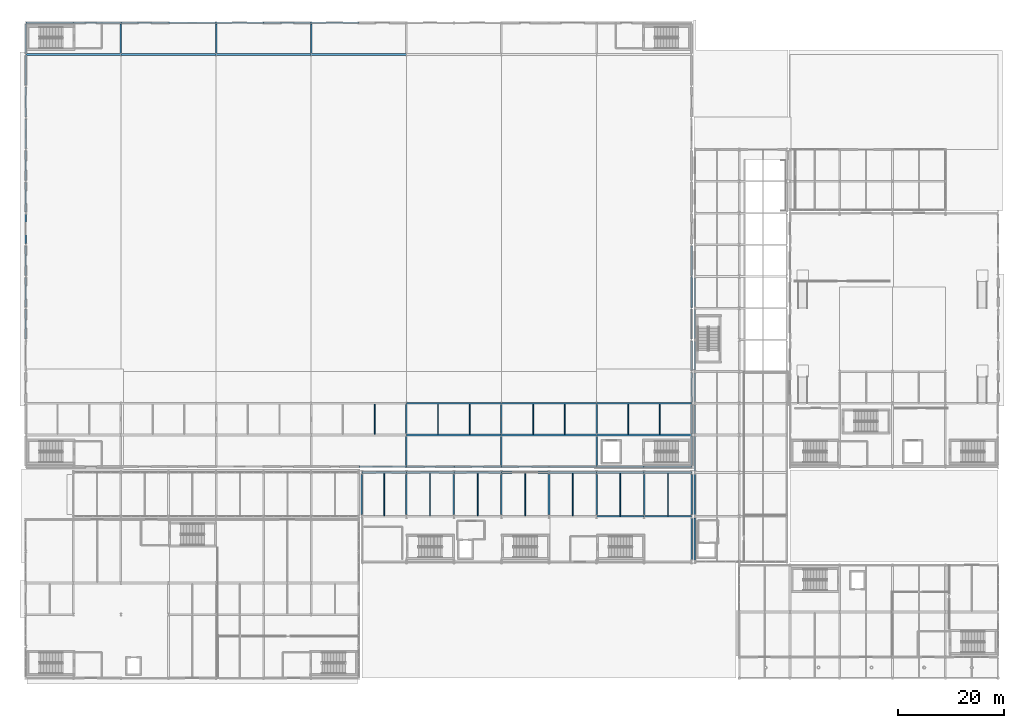
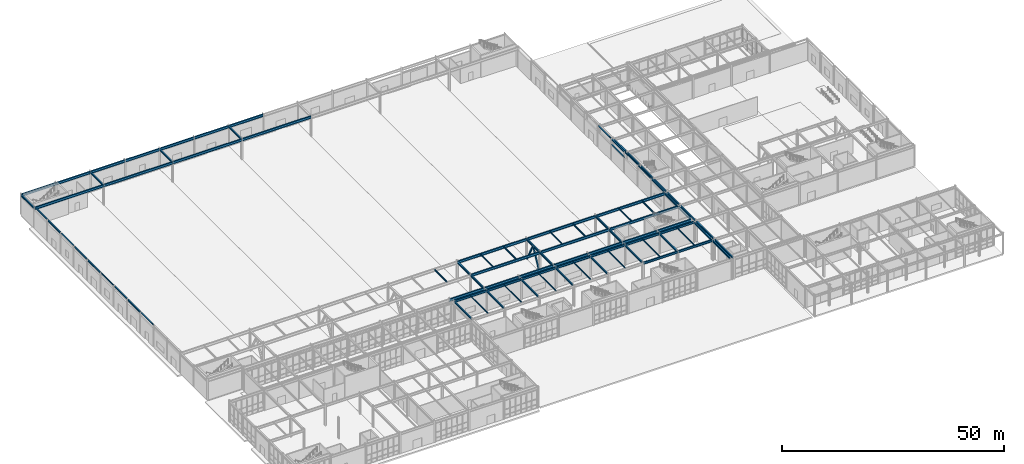
# One storey, part 68 of 146: 91 beams, 2 members.
"""IFC4 building model written with IfcOpenShell, lengths in metres."""

from ifc_helpers import new_model, si_unit, direction, frame, origin, origin_2d, place, context, subcontext, project, spatial, hollow_rectangle, i_section, extrude, material, material_profile, profile_set, type_object, element, save


model = new_model("IFC4")

# Units and contexts
model_context = context("Model", 3, precision=1e-05, world=origin(), true_north=direction((0.0, 1.0)))
body_context = subcontext(model_context, "Body", "Model", "MODEL_VIEW")
ifc_project = project(units=[si_unit("LENGTHUNIT", "METRE"), si_unit("AREAUNIT", "SQUARE_METRE"), si_unit("VOLUMEUNIT", "CUBIC_METRE"), si_unit("PLANEANGLEUNIT", "RADIAN"), si_unit("MASSUNIT", "GRAM", prefix="KILO")], contexts=[model_context])

# Site, building, storey
site_placement = place(None, origin())
site = spatial("IfcSite", under=ifc_project, at=site_placement, CompositionType="ELEMENT")
building_placement = place(site_placement, origin())
building = spatial("IfcBuilding", under=site, at=building_placement, Name="Kaldris Quays Convention Centre", CompositionType="ELEMENT")
storey_placement = place(building_placement, origin())
storey = spatial("IfcBuildingStorey", under=building, at=storey_placement, Name="L00", CompositionType="ELEMENT", Elevation=0.0)

# Beams
ifc_material_1 = material(Name="Steel S355J2", Category="steel")
ifc_material_profile_1 = material_profile(ifc_material_1, i_section(OverallWidth=0.300048828125, OverallDepth=0.699951171875, WebThickness=0.01708984375, FlangeThickness=0.031982421875, FilletRadius=0.027099609375, at=origin_2d()), Name="HEB 700")
ifc_profile_set_1 = profile_set([ifc_material_profile_1], Name="Steel S355J2")
beam_type_1 = type_object("IfcBeamType", Name="STRUCTURAL BEAM BM04", PredefinedType="BEAM", material=ifc_profile_set_1)
for number, where, z_axis, x_axis, name in (
    (1, (83.00439453125, 56.0, 5.3330078125), (1.0, 0.0, 0.0), (0.0, 1.0, 0.0), "L00 Girder BM04 8"),
    (2, (92.00439453125, 56.0, 5.3330078125), (1.0, 0.0, 0.0), (0.0, 1.0, 0.0), "L00 Girder BM04 9"),
    (3, (101.00439453125, 56.0, 5.3330078125), (1.0, 0.0, 0.0), (0.0, 1.0, 0.0), "L00 Girder BM04 10"),
    (4, (110.00439453125, 56.0, 5.3330078125), (1.0, 0.0, 0.0), (0.0, 1.0, 0.0), "L00 Girder BM04 11"),
    (5, (119.00439453125, 56.0, 5.3330078125), (1.0, 0.0, 0.0), (0.0, 1.0, 0.0), "L00 Girder BM04 12"),
    (6, (128.00439453125, 56.0, 5.3330078125), (1.0, 0.0, 0.0), (0.0, 1.0, 0.0), "L00 Girder BM04 13"),
    (7, (137.00439453125, 56.0, 5.3330078125), (1.0, 0.0, 0.0), (0.0, 1.0, 0.0), "L00 Girder BM04 14"),
):
    element("IfcBeam", number, at=place(storey_placement, frame(where, z_axis=z_axis, x_axis=x_axis)), inside=storey, type_object=beam_type_1, Name=name, PredefinedType="BEAM", context=body_context, shape_type="SweptSolid", body=[
        extrude(i_section(OverallWidth=0.300048828125, OverallDepth=0.699951171875, WebThickness=0.01708984375, FlangeThickness=0.031982421875, FilletRadius=0.027099609375, at=origin_2d()), origin(), (0.0, 0.0, 1.0), 8.9912109375),
    ])
for number, where, z_axis, x_axis, name in (
    (8, (92.0009765625, 62.0, 5.3330078125), (1.0, 0.0, 0.0), (0.0, 1.0, 0.0), "L00 Girder BM04 19"),
    (9, (110.0009765625, 62.0, 5.3330078125), (1.0, 0.0, 0.0), (0.0, 1.0, 0.0), "L00 Girder BM04 20"),
):
    element("IfcBeam", number, at=place(storey_placement, frame(where, z_axis=z_axis, x_axis=x_axis)), inside=storey, type_object=beam_type_1, Name=name, PredefinedType="BEAM", context=body_context, shape_type="SweptSolid", body=[
        extrude(i_section(OverallWidth=0.300048828125, OverallDepth=0.699951171875, WebThickness=0.01708984375, FlangeThickness=0.031982421875, FilletRadius=0.027099609375, at=origin_2d()), origin(), (0.0, 0.0, 1.0), 17.998046875),
    ])
beam_1_placement = place(storey_placement, frame((128.0009765625, 62.0, 5.3330078125), z_axis=(1.0, 0.0, 0.0), x_axis=(0.0, 1.0, 0.0)))
element("IfcBeam", 10, at=beam_1_placement, inside=storey, type_object=beam_type_1, Name="L00 Girder BM04 21", PredefinedType="BEAM", context=body_context, shape_type="SweptSolid", body=[
    extrude(i_section(OverallWidth=0.300048828125, OverallDepth=0.699951171875, WebThickness=0.01708984375, FlangeThickness=0.031982421875, FilletRadius=0.027099609375, at=origin_2d()), origin(), (0.0, 0.0, 1.0), 17.99462890625),
])
for number, where, z_axis, x_axis, name in (
    (11, (92.0009765625, 68.0, 5.3330078125), (1.0, 0.0, 0.0), (0.0, 1.0, 0.0), "L00 Girder BM04 26"),
    (12, (110.0009765625, 68.0, 5.3330078125), (1.0, 0.0, 0.0), (0.0, 1.0, 0.0), "L00 Girder BM04 27"),
):
    element("IfcBeam", number, at=place(storey_placement, frame(where, z_axis=z_axis, x_axis=x_axis)), inside=storey, type_object=beam_type_1, Name=name, PredefinedType="BEAM", context=body_context, shape_type="SweptSolid", body=[
        extrude(i_section(OverallWidth=0.300048828125, OverallDepth=0.699951171875, WebThickness=0.01708984375, FlangeThickness=0.031982421875, FilletRadius=0.027099609375, at=origin_2d()), origin(), (0.0, 0.0, 1.0), 17.998046875),
    ])
for number, where, z_axis, x_axis, name in (
    (13, (128.0009765625, 68.0, 5.3330078125), (1.0, 0.0, 0.0), (0.0, 1.0, 0.0), "L00 Girder BM04 28"),
    (14, (20.00439453125, 134.0, 5.3330078125), (1.0, 0.0, 0.0), (0.0, 1.0, 0.0), "L00 Girder BM04 29"),
):
    element("IfcBeam", number, at=place(storey_placement, frame(where, z_axis=z_axis, x_axis=x_axis)), inside=storey, type_object=beam_type_1, Name=name, PredefinedType="BEAM", context=body_context, shape_type="SweptSolid", body=[
        extrude(i_section(OverallWidth=0.300048828125, OverallDepth=0.699951171875, WebThickness=0.01708984375, FlangeThickness=0.031982421875, FilletRadius=0.027099609375, at=origin_2d()), origin(), (0.0, 0.0, 1.0), 17.99462890625),
    ])
for number, where, z_axis, x_axis, name in (
    (15, (38.0009765625, 134.0, 5.3330078125), (1.0, 0.0, 0.0), (0.0, 1.0, 0.0), "L00 Girder BM04 30"),
    (16, (56.0009765625, 134.0, 5.3330078125), (1.0, 0.0, 0.0), (0.0, 1.0, 0.0), "L00 Girder BM04 31"),
    (17, (74.0009765625, 134.0, 5.3330078125), (1.0, 0.0, 0.0), (0.0, 1.0, 0.0), "L00 Girder BM04 32"),
):
    element("IfcBeam", number, at=place(storey_placement, frame(where, z_axis=z_axis, x_axis=x_axis)), inside=storey, type_object=beam_type_1, Name=name, PredefinedType="BEAM", context=body_context, shape_type="SweptSolid", body=[
        extrude(i_section(OverallWidth=0.300048828125, OverallDepth=0.699951171875, WebThickness=0.01708984375, FlangeThickness=0.031982421875, FilletRadius=0.027099609375, at=origin_2d()), origin(), (0.0, 0.0, 1.0), 17.998046875),
    ])
for number, where, z_axis, x_axis, name in (
    (18, (20.00439453125, 140.0, 5.3330078125), (1.0, 0.0, 0.0), (0.0, 1.0, 0.0), "L00 Girder BM04 36"),
    (19, (29.00439453125, 140.0, 5.3330078125), (1.0, 0.0, 0.0), (0.0, 1.0, 0.0), "L00 Girder BM04 37"),
    (20, (38.00439453125, 140.0, 5.3330078125), (1.0, 0.0, 0.0), (0.0, 1.0, 0.0), "L00 Girder BM04 38"),
    (21, (47.00439453125, 140.0, 5.3330078125), (1.0, 0.0, 0.0), (0.0, 1.0, 0.0), "L00 Girder BM04 39"),
    (22, (56.00439453125, 140.0, 5.3330078125), (1.0, 0.0, 0.0), (0.0, 1.0, 0.0), "L00 Girder BM04 40"),
    (23, (65.00439453125, 140.0, 5.3330078125), (1.0, 0.0, 0.0), (0.0, 1.0, 0.0), "L00 Girder BM04 41"),
    (24, (74.00439453125, 140.0, 5.3330078125), (1.0, 0.0, 0.0), (0.0, 1.0, 0.0), "L00 Girder BM04 42"),
):
    element("IfcBeam", number, at=place(storey_placement, frame(where, z_axis=z_axis, x_axis=x_axis)), inside=storey, type_object=beam_type_1, Name=name, PredefinedType="BEAM", context=body_context, shape_type="SweptSolid", body=[
        extrude(i_section(OverallWidth=0.300048828125, OverallDepth=0.699951171875, WebThickness=0.01708984375, FlangeThickness=0.031982421875, FilletRadius=0.027099609375, at=origin_2d()), origin(), (0.0, 0.0, 1.0), 8.9912109375),
    ])
ifc_material_profile_2 = material_profile(ifc_material_1, i_section(OverallWidth=0.300048828125, OverallDepth=0.60009765625, WebThickness=0.015380859375, FlangeThickness=0.030029296875, FilletRadius=0.027099609375, at=origin_2d()), Name="HEB 600")
ifc_profile_set_2 = profile_set([ifc_material_profile_2], Name="Steel S355J2")
beam_type_2 = type_object("IfcBeamType", Name="STRUCTURAL BEAM BM05", PredefinedType="BEAM", material=ifc_profile_set_2)
for number, where, z_axis, x_axis, name in (
    (25, (128.00244140625, 46.60009765625, 5.423095703125), (1.0, 0.0, 0.0), (0.0, 1.0, 0.0), "L00 Girder BM05 15"),
    (26, (137.00244140625, 46.60009765625, 5.423095703125), (1.0, 0.0, 0.0), (0.0, 1.0, 0.0), "L00 Girder BM05 16"),
):
    element("IfcBeam", number, at=place(storey_placement, frame(where, z_axis=z_axis, x_axis=x_axis)), inside=storey, type_object=beam_type_2, Name=name, PredefinedType="BEAM", context=body_context, shape_type="SweptSolid", body=[
        extrude(i_section(OverallWidth=0.300048828125, OverallDepth=0.60009765625, WebThickness=0.015380859375, FlangeThickness=0.030029296875, FilletRadius=0.027099609375, at=origin_2d()), origin(), (0.0, 0.0, 1.0), 8.9951171875),
    ])
beam_2_placement = place(storey_placement, frame((83.6025390625, 54.89990234375, 5.423095703125), z_axis=(1.0, 0.0, 0.0), x_axis=(0.0, 1.0, 0.0)))
element("IfcBeam", 27, at=beam_2_placement, inside=storey, type_object=beam_type_2, Name="L00 Girder BM05 19", PredefinedType="BEAM", context=body_context, shape_type="SweptSolid", body=[
    extrude(i_section(OverallWidth=0.300048828125, OverallDepth=0.60009765625, WebThickness=0.015380859375, FlangeThickness=0.030029296875, FilletRadius=0.027099609375, at=origin_2d()), origin(), (0.0, 0.0, 1.0), 8.39501953125),
])
for number, where, z_axis, x_axis, name in (
    (28, (92.00244140625, 54.89990234375, 5.423095703125), (1.0, 0.0, 0.0), (0.0, 1.0, 0.0), "L00 Girder BM05 20"),
    (29, (101.00244140625, 54.89990234375, 5.423095703125), (1.0, 0.0, 0.0), (0.0, 1.0, 0.0), "L00 Girder BM05 21"),
    (30, (110.00244140625, 54.89990234375, 5.423095703125), (1.0, 0.0, 0.0), (0.0, 1.0, 0.0), "L00 Girder BM05 22"),
    (31, (119.00244140625, 54.89990234375, 5.423095703125), (1.0, 0.0, 0.0), (0.0, 1.0, 0.0), "L00 Girder BM05 23"),
    (32, (128.00244140625, 54.89990234375, 5.423095703125), (1.0, 0.0, 0.0), (0.0, 1.0, 0.0), "L00 Girder BM05 24"),
    (33, (137.00244140625, 54.89990234375, 5.423095703125), (1.0, 0.0, 0.0), (0.0, 1.0, 0.0), "L00 Girder BM05 25"),
):
    element("IfcBeam", number, at=place(storey_placement, frame(where, z_axis=z_axis, x_axis=x_axis)), inside=storey, type_object=beam_type_2, Name=name, PredefinedType="BEAM", context=body_context, shape_type="SweptSolid", body=[
        extrude(i_section(OverallWidth=0.300048828125, OverallDepth=0.60009765625, WebThickness=0.015380859375, FlangeThickness=0.030029296875, FilletRadius=0.027099609375, at=origin_2d()), origin(), (0.0, 0.0, 1.0), 8.9951171875),
    ])
ifc_material_profile_3 = material_profile(ifc_material_1, i_section(OverallWidth=0.300048828125, OverallDepth=0.5, WebThickness=0.014404296875, FlangeThickness=0.028076171875, FilletRadius=0.027099609375, at=origin_2d()), Name="HEB 500")
ifc_profile_set_3 = profile_set([ifc_material_profile_3], Name="Steel S355J2")
beam_type_3 = type_object("IfcBeamType", Name="STRUCTURAL BEAM BM06", PredefinedType="BEAM", material=ifc_profile_set_3)
beam_3_placement = place(storey_placement, frame((20.0, 134.2099609375, 5.43310546875), z_axis=(0.0, 1.0, 0.0), x_axis=(-1.0, 0.0, 0.0)))
element("IfcBeam", 34, at=beam_3_placement, inside=storey, type_object=beam_type_3, Name="L00 Girder BM06 52", PredefinedType="BEAM", context=body_context, shape_type="SweptSolid", body=[
    extrude(i_section(OverallWidth=0.300048828125, OverallDepth=0.5, WebThickness=0.014404296875, FlangeThickness=0.028076171875, FilletRadius=0.027099609375, at=origin_2d()), origin(), (0.0, 0.0, 1.0), 5.580078125),
])
for number, where, z_axis, x_axis, name in (
    (35, (38.0, 134.218994140625, 5.43310546875), (0.0, 1.0, 0.0), (-1.0, 0.0, 0.0), "L00 Girder BM06 55"),
    (36, (56.0, 134.218994140625, 5.43310546875), (0.0, 1.0, 0.0), (-1.0, 0.0, 0.0), "L00 Girder BM06 58"),
    (37, (74.0, 134.218994140625, 5.43310546875), (0.0, 1.0, 0.0), (-1.0, 0.0, 0.0), "L00 Girder BM06 61"),
    (38, (92.0, 56.2099609375, 5.43310546875), (0.0, 1.0, 0.0), (-1.0, 0.0, 0.0), "L00 Girder BM06 62"),
):
    element("IfcBeam", number, at=place(storey_placement, frame(where, z_axis=z_axis, x_axis=x_axis)), inside=storey, type_object=beam_type_3, Name=name, PredefinedType="BEAM", context=body_context, shape_type="SweptSolid", body=[
        extrude(i_section(OverallWidth=0.300048828125, OverallDepth=0.5, WebThickness=0.014404296875, FlangeThickness=0.028076171875, FilletRadius=0.027099609375, at=origin_2d()), origin(), (0.0, 0.0, 1.0), 5.571044921875),
    ])
beam_4_placement = place(storey_placement, frame((92.0, 62.218994140625, 5.43310546875), z_axis=(0.0, 1.0, 0.0), x_axis=(-1.0, 0.0, 0.0)))
element("IfcBeam", 39, at=beam_4_placement, inside=storey, type_object=beam_type_3, Name="L00 Girder BM06 63", PredefinedType="BEAM", context=body_context, shape_type="SweptSolid", body=[
    extrude(i_section(OverallWidth=0.300048828125, OverallDepth=0.5, WebThickness=0.014404296875, FlangeThickness=0.028076171875, FilletRadius=0.027099609375, at=origin_2d()), origin(), (0.0, 0.0, 1.0), 5.56201171875),
])
beam_5_placement = place(storey_placement, frame((110.0, 56.2099609375, 5.43310546875), z_axis=(0.0, 1.0, 0.0), x_axis=(-1.0, 0.0, 0.0)))
element("IfcBeam", 40, at=beam_5_placement, inside=storey, type_object=beam_type_3, Name="L00 Girder BM06 65", PredefinedType="BEAM", context=body_context, shape_type="SweptSolid", body=[
    extrude(i_section(OverallWidth=0.300048828125, OverallDepth=0.5, WebThickness=0.014404296875, FlangeThickness=0.028076171875, FilletRadius=0.027099609375, at=origin_2d()), origin(), (0.0, 0.0, 1.0), 5.571044921875),
])
beam_6_placement = place(storey_placement, frame((110.0, 62.218994140625, 5.43310546875), z_axis=(0.0, 1.0, 0.0), x_axis=(-1.0, 0.0, 0.0)))
element("IfcBeam", 41, at=beam_6_placement, inside=storey, type_object=beam_type_3, Name="L00 Girder BM06 66", PredefinedType="BEAM", context=body_context, shape_type="SweptSolid", body=[
    extrude(i_section(OverallWidth=0.300048828125, OverallDepth=0.5, WebThickness=0.014404296875, FlangeThickness=0.028076171875, FilletRadius=0.027099609375, at=origin_2d()), origin(), (0.0, 0.0, 1.0), 5.56201171875),
])
beam_7_placement = place(storey_placement, frame((128.0, 56.2099609375, 5.43310546875), z_axis=(0.0, 1.0, 0.0), x_axis=(-1.0, 0.0, 0.0)))
element("IfcBeam", 42, at=beam_7_placement, inside=storey, type_object=beam_type_3, Name="L00 Girder BM06 68", PredefinedType="BEAM", context=body_context, shape_type="SweptSolid", body=[
    extrude(i_section(OverallWidth=0.300048828125, OverallDepth=0.5, WebThickness=0.014404296875, FlangeThickness=0.028076171875, FilletRadius=0.027099609375, at=origin_2d()), origin(), (0.0, 0.0, 1.0), 5.571044921875),
])
beam_8_placement = place(storey_placement, frame((128.0, 62.218994140625, 5.43310546875), z_axis=(0.0, 1.0, 0.0), x_axis=(-1.0, 0.0, 0.0)))
element("IfcBeam", 43, at=beam_8_placement, inside=storey, type_object=beam_type_3, Name="L00 Girder BM06 69", PredefinedType="BEAM", context=body_context, shape_type="SweptSolid", body=[
    extrude(i_section(OverallWidth=0.300048828125, OverallDepth=0.5, WebThickness=0.014404296875, FlangeThickness=0.028076171875, FilletRadius=0.027099609375, at=origin_2d()), origin(), (0.0, 0.0, 1.0), 5.56201171875),
])
for number, where, z_axis, x_axis, name in (
    (44, (146.0, 56.2099609375, 5.43310546875), (0.0, 1.0, 0.0), (-1.0, 0.0, 0.0), "L00 Girder BM06 71"),
    (45, (146.0, 62.2099609375, 5.43310546875), (0.0, 1.0, 0.0), (-1.0, 0.0, 0.0), "L00 Girder BM06 72"),
):
    element("IfcBeam", number, at=place(storey_placement, frame(where, z_axis=z_axis, x_axis=x_axis)), inside=storey, type_object=beam_type_3, Name=name, PredefinedType="BEAM", context=body_context, shape_type="SweptSolid", body=[
        extrude(i_section(OverallWidth=0.300048828125, OverallDepth=0.5, WebThickness=0.014404296875, FlangeThickness=0.028076171875, FilletRadius=0.027099609375, at=origin_2d()), origin(), (0.0, 0.0, 1.0), 5.580078125),
    ])
ifc_material_profile_4 = material_profile(ifc_material_1, i_section(OverallWidth=0.300048828125, OverallDepth=0.449951171875, WebThickness=0.013916015625, FlangeThickness=0.02587890625, FilletRadius=0.027099609375, at=origin_2d()), Name="HEB 450")
ifc_profile_set_4 = profile_set([ifc_material_profile_4], Name="Steel S355J2")
beam_type_4 = type_object("IfcBeamType", Name="STRUCTURAL BEAM BM07", PredefinedType="BEAM", material=ifc_profile_set_4)
for number, where, z_axis, x_axis, name in (
    (46, (83.60009765625, 46.944091796875, 5.498046875), (0.0, 1.0, 0.0), (-1.0, 0.0, 0.0), "L00 Girder BM07 57"),
    (47, (92.0, 46.944091796875, 5.498046875), (0.0, 1.0, 0.0), (-1.0, 0.0, 0.0), "L00 Girder BM07 58"),
    (48, (101.0, 46.944091796875, 5.498046875), (0.0, 1.0, 0.0), (-1.0, 0.0, 0.0), "L00 Girder BM07 59"),
    (49, (110.0, 46.944091796875, 5.498046875), (0.0, 1.0, 0.0), (-1.0, 0.0, 0.0), "L00 Girder BM07 60"),
    (50, (119.0, 46.944091796875, 5.498046875), (0.0, 1.0, 0.0), (-1.0, 0.0, 0.0), "L00 Girder BM07 61"),
    (51, (128.0, 46.944091796875, 5.498046875), (0.0, 1.0, 0.0), (-1.0, 0.0, 0.0), "L00 Girder BM07 62"),
    (52, (137.0, 46.944091796875, 5.498046875), (0.0, 1.0, 0.0), (-1.0, 0.0, 0.0), "L00 Girder BM07 63"),
):
    element("IfcBeam", number, at=place(storey_placement, frame(where, z_axis=z_axis, x_axis=x_axis)), inside=storey, type_object=beam_type_4, Name=name, PredefinedType="BEAM", context=body_context, shape_type="SweptSolid", body=[
        extrude(i_section(OverallWidth=0.300048828125, OverallDepth=0.449951171875, WebThickness=0.013916015625, FlangeThickness=0.02587890625, FilletRadius=0.027099609375, at=origin_2d()), origin(), (0.0, 0.0, 1.0), 7.61181640625),
    ])
beam_9_placement = place(storey_placement, frame((146.0, 38.343994140625, 5.498046875), z_axis=(0.0, 1.0, 0.0), x_axis=(-1.0, 0.0, 0.0)))
element("IfcBeam", 53, at=beam_9_placement, inside=storey, type_object=beam_type_4, Name="L00 Girder BM07 64", PredefinedType="BEAM", context=body_context, shape_type="SweptSolid", body=[
    extrude(i_section(OverallWidth=0.300048828125, OverallDepth=0.449951171875, WebThickness=0.013916015625, FlangeThickness=0.02587890625, FilletRadius=0.027099609375, at=origin_2d()), origin(), (0.0, 0.0, 1.0), 7.912109375),
])
beam_10_placement = place(storey_placement, frame((146.0, 46.944091796875, 5.498046875), z_axis=(0.0, 1.0, 0.0), x_axis=(-1.0, 0.0, 0.0)))
element("IfcBeam", 54, at=beam_10_placement, inside=storey, type_object=beam_type_4, Name="L00 Girder BM07 65", PredefinedType="BEAM", context=body_context, shape_type="SweptSolid", body=[
    extrude(i_section(OverallWidth=0.300048828125, OverallDepth=0.449951171875, WebThickness=0.013916015625, FlangeThickness=0.02587890625, FilletRadius=0.027099609375, at=origin_2d()), origin(), (0.0, 0.0, 1.0), 7.61181640625),
])
beam_11_placement = place(storey_placement, frame((146.60009765625, 38.2939453125, 5.498046875), z_axis=(0.0, 1.0, 0.0), x_axis=(-1.0, 0.0, 0.0)))
element("IfcBeam", 55, at=beam_11_placement, inside=storey, type_object=beam_type_4, Name="L00 Girder BM07 66", PredefinedType="BEAM", context=body_context, shape_type="SweptSolid", body=[
    extrude(i_section(OverallWidth=0.300048828125, OverallDepth=0.449951171875, WebThickness=0.013916015625, FlangeThickness=0.02587890625, FilletRadius=0.027099609375, at=origin_2d()), origin(), (0.0, 0.0, 1.0), 8.011962890625),
])
beam_12_placement = place(storey_placement, frame((146.60009765625, 46.89404296875, 5.498046875), z_axis=(0.0, 1.0, 0.0), x_axis=(-1.0, 0.0, 0.0)))
element("IfcBeam", 56, at=beam_12_placement, inside=storey, type_object=beam_type_4, Name="L00 Girder BM07 67", PredefinedType="BEAM", context=body_context, shape_type="SweptSolid", body=[
    extrude(i_section(OverallWidth=0.300048828125, OverallDepth=0.449951171875, WebThickness=0.013916015625, FlangeThickness=0.02587890625, FilletRadius=0.027099609375, at=origin_2d()), origin(), (0.0, 0.0, 1.0), 7.7119140625),
])
beam_13_placement = place(storey_placement, frame((146.60009765625, 55.194091796875, 5.498046875), z_axis=(0.0, 1.0, 0.0), x_axis=(-1.0, 0.0, 0.0)))
element("IfcBeam", 57, at=beam_13_placement, inside=storey, type_object=beam_type_4, Name="L00 Girder BM07 68", PredefinedType="BEAM", context=body_context, shape_type="SweptSolid", body=[
    extrude(i_section(OverallWidth=0.300048828125, OverallDepth=0.449951171875, WebThickness=0.013916015625, FlangeThickness=0.02587890625, FilletRadius=0.027099609375, at=origin_2d()), origin(), (0.0, 0.0, 1.0), 6.511962890625),
])
for number, where, z_axis, x_axis, name in (
    (58, (146.60009765625, 62.2939453125, 5.498046875), (0.0, 1.0, 0.0), (-1.0, 0.0, 0.0), "L00 Girder BM07 69"),
    (59, (146.60009765625, 68.2939453125, 5.498046875), (0.0, 1.0, 0.0), (-1.0, 0.0, 0.0), "L00 Girder BM07 70"),
    (60, (146.60009765625, 74.2939453125, 5.498046875), (0.0, 1.0, 0.0), (-1.0, 0.0, 0.0), "L00 Girder BM07 71"),
    (61, (146.60009765625, 80.2939453125, 5.498046875), (0.0, 1.0, 0.0), (-1.0, 0.0, 0.0), "L00 Girder BM07 72"),
    (62, (146.60009765625, 86.2939453125, 5.498046875), (0.0, 1.0, 0.0), (-1.0, 0.0, 0.0), "L00 Girder BM07 73"),
):
    element("IfcBeam", number, at=place(storey_placement, frame(where, z_axis=z_axis, x_axis=x_axis)), inside=storey, type_object=beam_type_4, Name=name, PredefinedType="BEAM", context=body_context, shape_type="SweptSolid", body=[
        extrude(i_section(OverallWidth=0.300048828125, OverallDepth=0.449951171875, WebThickness=0.013916015625, FlangeThickness=0.02587890625, FilletRadius=0.027099609375, at=origin_2d()), origin(), (0.0, 0.0, 1.0), 5.412109375),
    ])
ifc_material_profile_5 = material_profile(ifc_material_1, i_section(OverallWidth=0.179931640625, OverallDepth=0.39990234375, WebThickness=0.008544921875, FlangeThickness=0.013427734375, FilletRadius=0.02099609375, at=origin_2d()), Name="IPE 400")
ifc_profile_set_5 = profile_set([ifc_material_profile_5], Name="Steel S355J2")
beam_type_5 = type_object("IfcBeamType", Name="STRUCTURAL BEAM JT02", PredefinedType="JOIST", material=ifc_profile_set_5)
for number, where, z_axis, x_axis, name in (
    (63, (86.0, 62.14404296875, 5.48291015625), (0.0, 1.0, 0.0), (-1.0, 0.0, 0.0), "L00 Secondary Joist JT02 8"),
    (64, (98.0, 62.14404296875, 5.48291015625), (0.0, 1.0, 0.0), (-1.0, 0.0, 0.0), "L00 Secondary Joist JT02 9"),
    (65, (104.0, 62.14404296875, 5.48291015625), (0.0, 1.0, 0.0), (-1.0, 0.0, 0.0), "L00 Secondary Joist JT02 10"),
    (66, (116.0, 62.14404296875, 5.48291015625), (0.0, 1.0, 0.0), (-1.0, 0.0, 0.0), "L00 Secondary Joist JT02 11"),
    (67, (122.0, 62.14404296875, 5.48291015625), (0.0, 1.0, 0.0), (-1.0, 0.0, 0.0), "L00 Secondary Joist JT02 12"),
    (68, (134.0, 62.14404296875, 5.48291015625), (0.0, 1.0, 0.0), (-1.0, 0.0, 0.0), "L00 Secondary Joist JT02 13"),
    (69, (140.0, 62.14404296875, 5.48291015625), (0.0, 1.0, 0.0), (-1.0, 0.0, 0.0), "L00 Secondary Joist JT02 14"),
):
    element("IfcBeam", number, at=place(storey_placement, frame(where, z_axis=z_axis, x_axis=x_axis)), inside=storey, type_object=beam_type_5, Name=name, PredefinedType="JOIST", context=body_context, shape_type="SweptSolid", body=[
        extrude(i_section(OverallWidth=0.179931640625, OverallDepth=0.39990234375, WebThickness=0.008544921875, FlangeThickness=0.013427734375, FilletRadius=0.02099609375, at=origin_2d()), origin(), (0.0, 0.0, 1.0), 5.7119140625),
    ])
ifc_material_profile_6 = material_profile(ifc_material_1, i_section(OverallWidth=0.14990234375, OverallDepth=0.300048828125, WebThickness=0.007080078125, FlangeThickness=0.0107421875, FilletRadius=0.014892578125, at=origin_2d()), Name="IPE 300")
ifc_profile_set_6 = profile_set([ifc_material_profile_6], Name="Steel S355J2")
beam_type_6 = type_object("IfcBeamType", Name="STRUCTURAL BEAM JT04", PredefinedType="JOIST", material=ifc_profile_set_6)
for number, where, z_axis, x_axis, name in (
    (70, (87.800048828125, 46.743896484375, 5.572998046875), (0.0, 1.0, 0.0), (-1.0, 0.0, 0.0), "L00 Secondary Joist JT04 3"),
    (71, (96.5, 46.743896484375, 5.572998046875), (0.0, 1.0, 0.0), (-1.0, 0.0, 0.0), "L00 Secondary Joist JT04 4"),
    (72, (105.5, 46.743896484375, 5.572998046875), (0.0, 1.0, 0.0), (-1.0, 0.0, 0.0), "L00 Secondary Joist JT04 5"),
    (73, (114.5, 46.743896484375, 5.572998046875), (0.0, 1.0, 0.0), (-1.0, 0.0, 0.0), "L00 Secondary Joist JT04 6"),
    (74, (123.5, 46.743896484375, 5.572998046875), (0.0, 1.0, 0.0), (-1.0, 0.0, 0.0), "L00 Secondary Joist JT04 7"),
    (75, (132.5, 46.743896484375, 5.572998046875), (0.0, 1.0, 0.0), (-1.0, 0.0, 0.0), "L00 Secondary Joist JT04 8"),
    (76, (141.5, 46.743896484375, 5.572998046875), (0.0, 1.0, 0.0), (-1.0, 0.0, 0.0), "L00 Secondary Joist JT04 9"),
):
    element("IfcBeam", number, at=place(storey_placement, frame(where, z_axis=z_axis, x_axis=x_axis)), inside=storey, type_object=beam_type_6, Name=name, PredefinedType="JOIST", context=body_context, shape_type="SweptSolid", body=[
        extrude(i_section(OverallWidth=0.14990234375, OverallDepth=0.300048828125, WebThickness=0.007080078125, FlangeThickness=0.0107421875, FilletRadius=0.014892578125, at=origin_2d()), origin(), (0.0, 0.0, 1.0), 8.01220703125),
    ])
ifc_material_profile_7 = material_profile(ifc_material_1, i_section(OverallWidth=0.260009765625, OverallDepth=0.25, WebThickness=0.007568359375, FlangeThickness=0.012451171875, FilletRadius=0.02392578125, at=origin_2d()), Name="HEA 260")
ifc_profile_set_7 = profile_set([ifc_material_profile_7], Name="Steel S355J2")
beam_type_7 = type_object("IfcBeamType", Name="STRUCTURAL BEAM LN01", PredefinedType="LINTEL", material=ifc_profile_set_7)
beam_14_placement = place(storey_placement, frame((146.0, 86.02001953125, 4.35009765625), z_axis=(0.0, 1.0, 0.0), x_axis=(-1.0, 0.0, 0.0)))
element("IfcBeam", 77, at=beam_14_placement, inside=storey, type_object=beam_type_7, Name="L00 Heavy Portal Lintel Beam LN01 1", PredefinedType="LINTEL", context=body_context, shape_type="SweptSolid", body=[
    extrude(i_section(OverallWidth=0.260009765625, OverallDepth=0.25, WebThickness=0.007568359375, FlangeThickness=0.012451171875, FilletRadius=0.02392578125, at=origin_2d()), origin(), (0.0, 0.0, 1.0), 5.9599609375),
])
ifc_material_profile_8 = material_profile(ifc_material_1, i_section(OverallWidth=0.300048828125, OverallDepth=0.389892578125, WebThickness=0.010986328125, FlangeThickness=0.01904296875, FilletRadius=0.027099609375, at=origin_2d()), Name="HEA 400")
ifc_profile_set_8 = profile_set([ifc_material_profile_8], Name="Steel S355J2")
beam_type_8 = type_object("IfcBeamType", Name="STRUCTURAL BEAM SP01", PredefinedType="SPANDREL", material=ifc_profile_set_8)
for number, where, z_axis, x_axis, name in (
    (78, (20.0, 86.195068359375, 5.804931640625), (0.0, 1.0, 0.0), (-1.0, 0.0, 0.0), "L00 Perimeter Wall-Bearing Spandrel SP01 7"),
    (79, (20.0, 104.195068359375, 5.804931640625), (0.0, 1.0, 0.0), (-1.0, 0.0, 0.0), "L00 Perimeter Wall-Bearing Spandrel SP01 13"),
    (80, (20.0, 122.195068359375, 5.804931640625), (0.0, 1.0, 0.0), (-1.0, 0.0, 0.0), "L00 Perimeter Wall-Bearing Spandrel SP01 19"),
):
    element("IfcBeam", number, at=place(storey_placement, frame(where, z_axis=z_axis, x_axis=x_axis)), inside=storey, type_object=beam_type_8, Name=name, PredefinedType="SPANDREL", context=body_context, shape_type="SweptSolid", body=[
        extrude(i_section(OverallWidth=0.300048828125, OverallDepth=0.389892578125, WebThickness=0.010986328125, FlangeThickness=0.01904296875, FilletRadius=0.027099609375, at=origin_2d()), origin(), (0.0, 0.0, 1.0), 5.60986328125),
    ])
ifc_material_profile_9 = material_profile(ifc_material_1, i_section(OverallWidth=0.300048828125, OverallDepth=0.35009765625, WebThickness=0.010009765625, FlangeThickness=0.017578125, FilletRadius=0.027099609375, at=origin_2d()), Name="HEA 360")
ifc_profile_set_9 = profile_set([ifc_material_profile_9], Name="Steel S355J2")
beam_type_9 = type_object("IfcBeamType", Name="STRUCTURAL BEAM SP02", PredefinedType="SPANDREL", material=ifc_profile_set_9)
for number, where, z_axis, x_axis, name in (
    (81, (146.0, 68.195068359375, 5.824951171875), (0.0, 1.0, 0.0), (-1.0, 0.0, 0.0), "L00 Perimeter Wall-Bearing Spandrel SP02 2"),
    (82, (146.0, 86.195068359375, 5.824951171875), (0.0, 1.0, 0.0), (-1.0, 0.0, 0.0), "L00 Perimeter Wall-Bearing Spandrel SP02 8"),
):
    element("IfcBeam", number, at=place(storey_placement, frame(where, z_axis=z_axis, x_axis=x_axis)), inside=storey, type_object=beam_type_9, Name=name, PredefinedType="SPANDREL", context=body_context, shape_type="SweptSolid", body=[
        extrude(i_section(OverallWidth=0.300048828125, OverallDepth=0.35009765625, WebThickness=0.010009765625, FlangeThickness=0.017578125, FilletRadius=0.027099609375, at=origin_2d()), origin(), (0.0, 0.0, 1.0), 5.60986328125),
    ])
ifc_material_profile_10 = material_profile(ifc_material_1, i_section(OverallWidth=0.280029296875, OverallDepth=0.27001953125, WebThickness=0.008056640625, FlangeThickness=0.012939453125, FilletRadius=0.02392578125, at=origin_2d()), Name="HEA 280")
ifc_profile_set_10 = profile_set([ifc_material_profile_10], Name="Steel S355J2")
beam_type_10 = type_object("IfcBeamType", Name="STRUCTURAL BEAM SP03", PredefinedType="SPANDREL", material=ifc_profile_set_10)
for number, where, z_axis, x_axis, name in (
    (83, (20.0, 92.195068359375, 5.864990234375), (0.0, 1.0, 0.0), (-1.0, 0.0, 0.0), "L00 Perimeter Wall-Bearing Spandrel SP03 9"),
    (84, (20.0, 110.195068359375, 5.864990234375), (0.0, 1.0, 0.0), (-1.0, 0.0, 0.0), "L00 Perimeter Wall-Bearing Spandrel SP03 15"),
    (85, (20.0, 128.195068359375, 5.864990234375), (0.0, 1.0, 0.0), (-1.0, 0.0, 0.0), "L00 Perimeter Wall-Bearing Spandrel SP03 21"),
):
    element("IfcBeam", number, at=place(storey_placement, frame(where, z_axis=z_axis, x_axis=x_axis)), inside=storey, type_object=beam_type_10, Name=name, PredefinedType="SPANDREL", context=body_context, shape_type="SweptSolid", body=[
        extrude(i_section(OverallWidth=0.280029296875, OverallDepth=0.27001953125, WebThickness=0.008056640625, FlangeThickness=0.012939453125, FilletRadius=0.02392578125, at=origin_2d()), origin(), (0.0, 0.0, 1.0), 5.60986328125),
    ])
ifc_material_profile_11 = material_profile(ifc_material_1, i_section(OverallWidth=0.239990234375, OverallDepth=0.22998046875, WebThickness=0.007568359375, FlangeThickness=0.011962890625, FilletRadius=0.02099609375, at=origin_2d()), Name="HEA 240")
ifc_profile_set_11 = profile_set([ifc_material_profile_11], Name="Steel S355J2")
beam_type_11 = type_object("IfcBeamType", Name="STRUCTURAL BEAM SP04", PredefinedType="SPANDREL", material=ifc_profile_set_11)
for number, where, z_axis, x_axis, name in (
    (86, (146.0, 74.195068359375, 5.885009765625), (0.0, 1.0, 0.0), (-1.0, 0.0, 0.0), "L00 Perimeter Wall-Bearing Spandrel SP04 4"),
    (87, (146.0, 92.195068359375, 5.885009765625), (0.0, 1.0, 0.0), (-1.0, 0.0, 0.0), "L00 Perimeter Wall-Bearing Spandrel SP04 10"),
):
    element("IfcBeam", number, at=place(storey_placement, frame(where, z_axis=z_axis, x_axis=x_axis)), inside=storey, type_object=beam_type_11, Name=name, PredefinedType="SPANDREL", context=body_context, shape_type="SweptSolid", body=[
        extrude(i_section(OverallWidth=0.239990234375, OverallDepth=0.22998046875, WebThickness=0.007568359375, FlangeThickness=0.011962890625, FilletRadius=0.02099609375, at=origin_2d()), origin(), (0.0, 0.0, 1.0), 5.60986328125),
    ])
ifc_material_profile_12 = material_profile(ifc_material_1, i_section(OverallWidth=0.219970703125, OverallDepth=0.219970703125, WebThickness=0.009521484375, FlangeThickness=0.01611328125, FilletRadius=0.01806640625, at=origin_2d()), Name="HEB 220")
ifc_profile_set_12 = profile_set([ifc_material_profile_12], Name="Steel S355J2")
beam_type_12 = type_object("IfcBeamType", Name="STRUCTURAL BEAM SP05", PredefinedType="SPANDREL", material=ifc_profile_set_12)
for number, where, z_axis, x_axis, name in (
    (88, (20.0, 80.195068359375, 5.889892578125), (0.0, 1.0, 0.0), (-1.0, 0.0, 0.0), "L00 Perimeter Wall-Bearing Spandrel SP05 5"),
    (89, (20.0, 98.195068359375, 5.889892578125), (0.0, 1.0, 0.0), (-1.0, 0.0, 0.0), "L00 Perimeter Wall-Bearing Spandrel SP05 11"),
    (90, (20.0, 116.195068359375, 5.889892578125), (0.0, 1.0, 0.0), (-1.0, 0.0, 0.0), "L00 Perimeter Wall-Bearing Spandrel SP05 17"),
):
    element("IfcBeam", number, at=place(storey_placement, frame(where, z_axis=z_axis, x_axis=x_axis)), inside=storey, type_object=beam_type_12, Name=name, PredefinedType="SPANDREL", context=body_context, shape_type="SweptSolid", body=[
        extrude(i_section(OverallWidth=0.219970703125, OverallDepth=0.219970703125, WebThickness=0.009521484375, FlangeThickness=0.01611328125, FilletRadius=0.01806640625, at=origin_2d()), origin(), (0.0, 0.0, 1.0), 5.60986328125),
    ])
ifc_material_profile_13 = material_profile(ifc_material_1, i_section(OverallWidth=0.199951171875, OverallDepth=0.199951171875, WebThickness=0.009033203125, FlangeThickness=0.014892578125, FilletRadius=0.01806640625, at=origin_2d()), Name="HEB 200")
ifc_profile_set_13 = profile_set([ifc_material_profile_13], Name="Steel S355J2")
beam_type_13 = type_object("IfcBeamType", Name="STRUCTURAL BEAM SP06", PredefinedType="SPANDREL", material=ifc_profile_set_13)
beam_15_placement = place(storey_placement, frame((146.0, 80.195068359375, 5.89990234375), z_axis=(0.0, 1.0, 0.0), x_axis=(-1.0, 0.0, 0.0)))
element("IfcBeam", 91, at=beam_15_placement, inside=storey, type_object=beam_type_13, Name="L00 Perimeter Wall-Bearing Spandrel SP06 6", PredefinedType="SPANDREL", context=body_context, shape_type="SweptSolid", body=[
    extrude(i_section(OverallWidth=0.199951171875, OverallDepth=0.199951171875, WebThickness=0.009033203125, FlangeThickness=0.014892578125, FilletRadius=0.01806640625, at=origin_2d()), origin(), (0.0, 0.0, 1.0), 5.60986328125),
])

# Members
ifc_material_2 = material(Name="Steel S355J2H", Category="steel")
ifc_material_profile_14 = material_profile(ifc_material_2, hollow_rectangle(XDim=0.300048828125, YDim=0.300048828125, WallThickness=0.012451171875, at=origin_2d()), Name="SHS 300x300x12.5")
ifc_profile_set_14 = profile_set([ifc_material_profile_14], Name="Steel S355J2H")
member_type = type_object("IfcMemberType", Name="STRUCTURAL MEMBER CB01", PredefinedType="BRACE", material=ifc_profile_set_14)
for number, where, z_axis, x_axis, name in (
    (92, (110.0, 62.219970703125, 0.080078125), (0.0, 0.461871891973, 0.88694664744), (-1.0, 0.0, 0.0), "L00 V1 Concentric Brace CB01 4A"),
    (93, (110.0, 67.780029296875, 0.080078125), (0.0, -0.461871891973, 0.88694664744), (1.0, 0.0, 0.0), "L00 V1 Concentric Brace CB01 4B"),
):
    element("IfcMember", number, at=place(storey_placement, frame(where, z_axis=z_axis, x_axis=x_axis)), inside=storey, type_object=member_type, Name=name, PredefinedType="BRACE", context=body_context, shape_type="SweptSolid", body=[
        extrude(hollow_rectangle(XDim=0.300048828125, YDim=0.300048828125, WallThickness=0.012451171875, at=origin_2d()), origin(), (0.0, 0.0, 1.0), 5.759033203125),
    ])

save(model, "model.ifc")
